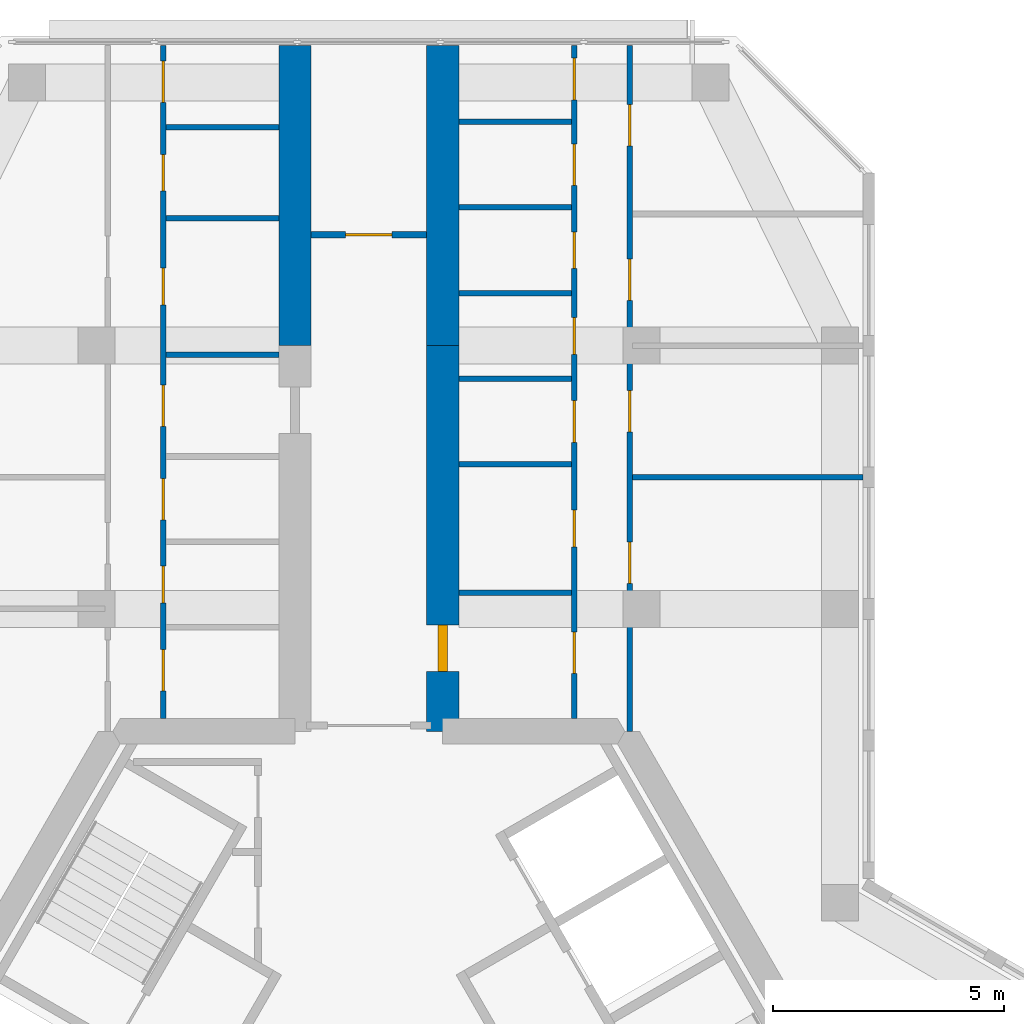
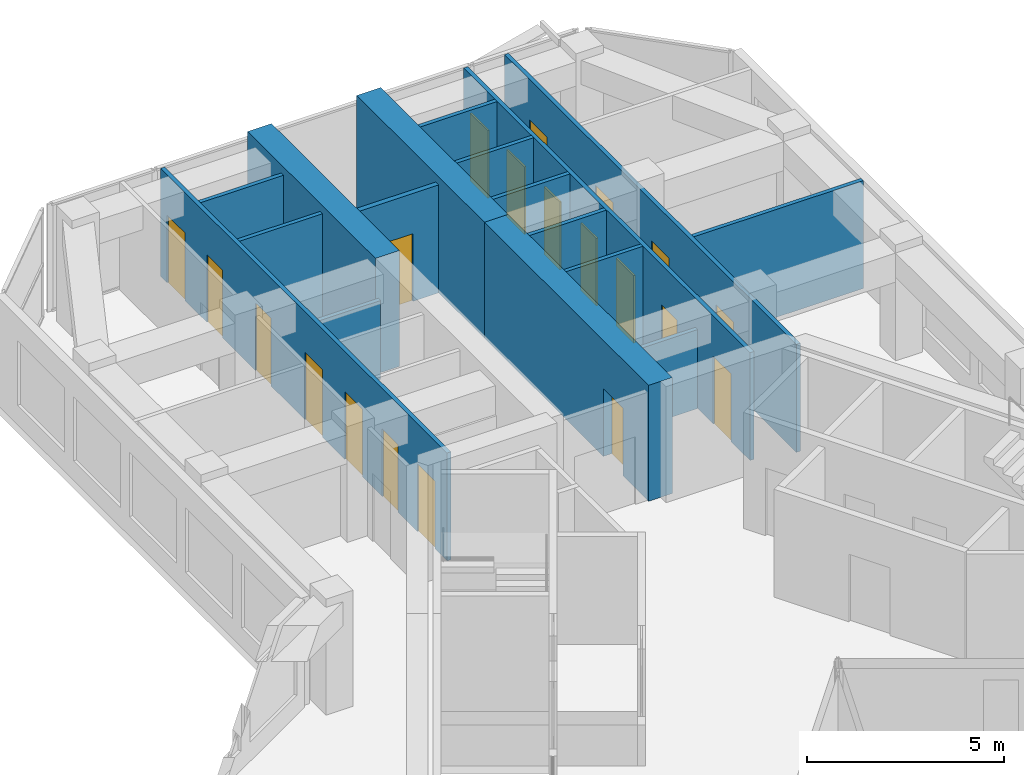
# One storey, part 12 of 14: 20 doors, 17 walls, 20 openings.
"""IFC4 building model written with IfcOpenShell, lengths in metres."""

from ifc_helpers import new_model, si_unit, direction, frame, frame_2d, origin, place, context, subcontext, project, spatial, rectangle, extrude, material, layer, layer_set, type_object, element, fill, save


model = new_model("IFC4")

# Units and contexts
model_context = context("Model", 3, precision=1e-05, world=origin(), true_north=direction((0.0, 1.0)))
body_context = subcontext(model_context, "Body", "Model", "MODEL_VIEW")
ifc_project = project(units=[si_unit("LENGTHUNIT", "METRE"), si_unit("AREAUNIT", "SQUARE_METRE"), si_unit("VOLUMEUNIT", "CUBIC_METRE"), si_unit("PLANEANGLEUNIT", "RADIAN"), si_unit("MASSUNIT", "GRAM", prefix="KILO")], contexts=[model_context])

# Site, building, storey
site_placement = place(None, origin())
site = spatial("IfcSite", under=ifc_project, at=site_placement, CompositionType="ELEMENT")
building_placement = place(site_placement, origin())
building = spatial("IfcBuilding", under=site, at=building_placement, Name="Kosmar Iwan School Tower", CompositionType="ELEMENT")
storey_placement = place(building_placement, frame((0.0, 0.0, 274.60009765625)))
storey = spatial("IfcBuildingStorey", under=building, at=storey_placement, Name="L69", CompositionType="ELEMENT", Elevation=274.60009765625)

# Wall
ifc_material_1 = material(Name="Concrete C50/60", Category="concrete")
ifc_layer_1 = layer(ifc_material_1, 0.699951171875)
ifc_layer_set_1 = layer_set([ifc_layer_1], Name="Corridor buttress wall 700")
wall_type_1 = type_object("IfcWallType", Name="Corridor buttress wall 700", PredefinedType="SHEAR", material=ifc_layer_set_1)
wall_1_placement = place(storey_placement, frame((-1.60009765625, 17.949951171875, 0.0), z_axis=(0.0, 0.0, 1.0), x_axis=(0.0, 1.0, 0.0)))
element("IfcWall", 1, at=wall_1_placement, inside=storey, type_object=wall_type_1, Name="Corridor wall AL bay 2", PredefinedType="SHEAR", context=body_context, shape_type="SweptSolid", body=[
    extrude(rectangle(XDim=6.4951171875, YDim=0.699951171875, at=frame_2d((3.24755859375, 0.0))), origin(), (0.0, 0.0, 1.0), 3.599853515625),
])

# Wall, opening, door
wall_2_placement = place(storey_placement, frame((1.60009765625, 9.60009765625, 0.0), z_axis=(0.0, 0.0, 1.0), x_axis=(0.0, 1.0, 0.0)))
wall_2 = element("IfcWall", 2, at=wall_2_placement, inside=storey, type_object=wall_type_1, Name="Corridor wall AR", PredefinedType="SHEAR", context=body_context, shape_type="SweptSolid", body=[
    extrude(rectangle(XDim=8.349853515625, YDim=0.699951171875, at=frame_2d((4.1748046875, 0.0))), origin(), (0.0, 0.0, 1.0), 3.599853515625),
])
opening_1_placement = place(wall_2_placement, frame((1.300048828125, 0.0, 0.0)))
opening_1 = element("IfcOpeningElement", 3, at=opening_1_placement, cuts=wall_2, Name="Opening D1", PredefinedType="OPENING", context=body_context, shape_type="SweptSolid", body=[
    extrude(rectangle(XDim=1.0, YDim=2.10009765625, at=frame_2d((0.5, 1.050048828125))), frame((0.0, 0.362060546875, 0.0), z_axis=(0.0, -1.0, 0.0), x_axis=(1.0, 0.0, 0.0)), (0.0, 0.0, 1.0), 0.723876953125),
])
ifc_material_2 = material(Name="Timber fire door in steel frame", Category="steel")
door_type_1 = type_object("IfcDoorType", Name="Flat entrance door 1000x2100", OperationType="SINGLE_SWING_LEFT", PredefinedType="DOOR", material=ifc_material_2)
door_1_placement = place(opening_1_placement, origin())
door_1 = element("IfcDoor", 4, at=door_1_placement, inside=storey, type_object=door_type_1, Name="Flat L69-AR1 entrance door", OperationType="SINGLE_SWING_LEFT", OverallHeight=2.10009765625, OverallWidth=1.0, PredefinedType="DOOR", context=body_context, shape_type="SweptSolid", body=[
    extrude(rectangle(XDim=1.0, YDim=2.10009765625, at=frame_2d((0.5, 1.050048828125))), frame((0.0, 0.10009765625, 0.0), z_axis=(0.0, -1.0, 0.0), x_axis=(1.0, 0.0, 0.0)), (0.0, 0.0, 1.0), 0.199951171875),
])
fill(opening_1, door_1)

# Wall
wall_3_placement = place(storey_placement, frame((1.60009765625, 17.949951171875, 0.0), z_axis=(0.0, 0.0, 1.0), x_axis=(0.0, 1.0, 0.0)))
element("IfcWall", 5, at=wall_3_placement, inside=storey, type_object=wall_type_1, Name="Corridor wall AR bay 2", PredefinedType="SHEAR", context=body_context, shape_type="SweptSolid", body=[
    extrude(rectangle(XDim=6.4951171875, YDim=0.699951171875, at=frame_2d((3.24755859375, 0.0))), origin(), (0.0, 0.0, 1.0), 3.599853515625),
])

# Wall, opening, door
ifc_material_3 = material(Name="Gypsum board on steel studs, fire-rated", Category="steel")
ifc_layer_2 = layer(ifc_material_3, 0.14990234375)
ifc_layer_set_2 = layer_set([ifc_layer_2], Name="Corridor end wall 150")
wall_type_2 = type_object("IfcWallType", Name="Corridor end wall 150", PredefinedType="PARTITIONING", material=ifc_layer_set_2)
wall_4_placement = place(storey_placement, frame((1.25, 20.35009765625, 0.0), z_axis=(0.0, 0.0, 1.0), x_axis=(-1.0, 0.0, 0.0)))
wall_4 = element("IfcWall", 6, at=wall_4_placement, inside=storey, type_object=wall_type_2, Name="Partition L69-A-CE", PredefinedType="PARTITIONING", context=body_context, shape_type="SweptSolid", body=[
    extrude(rectangle(XDim=2.5, YDim=0.14990234375, at=frame_2d((1.25, 0.0))), origin(), (0.0, 0.0, 1.0), 3.349853515625),
])
opening_2_placement = place(wall_4_placement, frame((0.75, 0.0, 0.0)))
opening_2 = element("IfcOpeningElement", 7, at=opening_2_placement, cuts=wall_4, Name="Opening D13", PredefinedType="OPENING", context=body_context, shape_type="SweptSolid", body=[
    extrude(rectangle(XDim=1.0, YDim=2.10009765625, at=frame_2d((0.5, 1.050048828125))), frame((0.0, 0.0869140625, 0.0), z_axis=(0.0, -1.0, 0.0), x_axis=(1.0, 0.0, 0.0)), (0.0, 0.0, 1.0), 0.173828125),
])
ifc_material_4 = material(Name="Timber fire door with vision panel", Category="wood")
door_type_2 = type_object("IfcDoorType", Name="Corridor end door 1000x2100", OperationType="SINGLE_SWING_LEFT", PredefinedType="DOOR", material=ifc_material_4)
door_2_placement = place(opening_2_placement, origin())
door_2 = element("IfcDoor", 8, at=door_2_placement, inside=storey, type_object=door_type_2, Name="Laundry and drying room door L69-A", OperationType="SINGLE_SWING_LEFT", OverallHeight=2.10009765625, OverallWidth=1.0, PredefinedType="DOOR", context=body_context, shape_type="SweptSolid", body=[
    extrude(rectangle(XDim=1.0, YDim=2.10009765625, at=frame_2d((0.5, 1.050048828125))), frame((0.0, 0.02490234375, 0.0), z_axis=(0.0, -1.0, 0.0), x_axis=(1.0, 0.0, 0.0)), (0.0, 0.0, 1.0), 0.050048828125),
])
fill(opening_2, door_2)

# Wall, openings, doors
ifc_material_5 = material(Name="Gypsum board on steel studs", Category="steel")
ifc_layer_3 = layer(ifc_material_5, 0.1201171875)
ifc_layer_set_3 = layer_set([ifc_layer_3], Name="Dwelling partition 120")
wall_type_3 = type_object("IfcWallType", Name="Dwelling partition 120", PredefinedType="PARTITIONING", material=ifc_layer_set_3)
wall_5_placement = place(storey_placement, frame((-4.449951171875, 9.875, 0.0), z_axis=(0.0, 0.0, 1.0), x_axis=(0.0, 1.0, 0.0)))
wall_5 = element("IfcWall", 9, at=wall_5_placement, inside=storey, type_object=wall_type_3, Name="Partition L69-AL1-W1", PredefinedType="PARTITIONING", context=body_context, shape_type="SweptSolid", body=[
    extrude(rectangle(XDim=14.570068359375, YDim=0.1201171875, at=frame_2d((7.28515625, 0.0))), origin(), (0.0, 0.0, 1.0), 3.349853515625),
])
opening_3_placement = place(wall_5_placement, frame((0.60009765625, 0.0, 0.0)))
opening_3 = element("IfcOpeningElement", 10, at=opening_3_placement, cuts=wall_5, Name="Opening D2", PredefinedType="OPENING", context=body_context, shape_type="SweptSolid", body=[
    extrude(rectangle(XDim=0.89990234375, YDim=2.10009765625, at=frame_2d((0.449951171875, 1.050048828125))), frame((0.0, 0.072021484375, 0.0), z_axis=(0.0, -1.0, 0.0), x_axis=(1.0, 0.0, 0.0)), (0.0, 0.0, 1.0), 0.14404296875),
])
opening_4_placement = place(wall_5_placement, frame((2.5, 0.0, 0.0)))
opening_4 = element("IfcOpeningElement", 11, at=opening_4_placement, cuts=wall_5, Name="Opening D3", PredefinedType="OPENING", context=body_context, shape_type="SweptSolid", body=[
    extrude(rectangle(XDim=0.800048828125, YDim=2.10009765625, at=frame_2d((0.39990234375, 1.050048828125))), frame((0.0, 0.072021484375, 0.0), z_axis=(0.0, -1.0, 0.0), x_axis=(1.0, 0.0, 0.0)), (0.0, 0.0, 1.0), 0.14404296875),
])
opening_5_placement = place(wall_5_placement, frame((4.300048828125, 0.0, 0.0)))
opening_5 = element("IfcOpeningElement", 12, at=opening_5_placement, cuts=wall_5, Name="Opening D2", PredefinedType="OPENING", context=body_context, shape_type="SweptSolid", body=[
    extrude(rectangle(XDim=0.89990234375, YDim=2.10009765625, at=frame_2d((0.449951171875, 1.050048828125))), frame((0.0, 0.072021484375, 0.0), z_axis=(0.0, -1.0, 0.0), x_axis=(1.0, 0.0, 0.0)), (0.0, 0.0, 1.0), 0.14404296875),
])
opening_6_placement = place(wall_5_placement, frame((6.324951171875, 0.0, 0.0)))
opening_6 = element("IfcOpeningElement", 13, at=opening_6_placement, cuts=wall_5, Name="Opening D2", PredefinedType="OPENING", context=body_context, shape_type="SweptSolid", body=[
    extrude(rectangle(XDim=0.89990234375, YDim=2.10009765625, at=frame_2d((0.449951171875, 1.050048828125))), frame((0.0, 0.072021484375, 0.0), z_axis=(0.0, -1.0, 0.0), x_axis=(1.0, 0.0, 0.0)), (0.0, 0.0, 1.0), 0.14404296875),
])
opening_7_placement = place(wall_5_placement, frame((8.95361328125, 0.0, 0.0)))
opening_7 = element("IfcOpeningElement", 14, at=opening_7_placement, cuts=wall_5, Name="Opening D3", PredefinedType="OPENING", context=body_context, shape_type="SweptSolid", body=[
    extrude(rectangle(XDim=0.800048828125, YDim=2.10009765625, at=frame_2d((0.39990234375, 1.050048828125))), frame((0.0, 0.072021484375, 0.0), z_axis=(0.0, -1.0, 0.0), x_axis=(1.0, 0.0, 0.0)), (0.0, 0.0, 1.0), 0.14404296875),
])
opening_8_placement = place(wall_5_placement, frame((11.41796875, 0.0, 0.0)))
opening_8 = element("IfcOpeningElement", 15, at=opening_8_placement, cuts=wall_5, Name="Opening D3", PredefinedType="OPENING", context=body_context, shape_type="SweptSolid", body=[
    extrude(rectangle(XDim=0.800048828125, YDim=2.10009765625, at=frame_2d((0.39990234375, 1.050048828125))), frame((0.0, 0.072021484375, 0.0), z_axis=(0.0, -1.0, 0.0), x_axis=(1.0, 0.0, 0.0)), (0.0, 0.0, 1.0), 0.14404296875),
])
opening_9_placement = place(wall_5_placement, frame((13.33935546875, 0.0, 0.0)))
opening_9 = element("IfcOpeningElement", 16, at=opening_9_placement, cuts=wall_5, Name="Opening D2", PredefinedType="OPENING", context=body_context, shape_type="SweptSolid", body=[
    extrude(rectangle(XDim=0.89990234375, YDim=2.10009765625, at=frame_2d((0.449951171875, 1.050048828125))), frame((0.0, 0.072021484375, 0.0), z_axis=(0.0, -1.0, 0.0), x_axis=(1.0, 0.0, 0.0)), (0.0, 0.0, 1.0), 0.14404296875),
])
ifc_material_6 = material(Name="Timber door in timber frame", Category="wood")
door_type_3 = type_object("IfcDoorType", Name="Internal door 900x2100", OperationType="SINGLE_SWING_LEFT", PredefinedType="DOOR", material=ifc_material_6)
door_3_placement = place(opening_3_placement, origin())
door_3 = element("IfcDoor", 17, at=door_3_placement, inside=storey, type_object=door_type_3, Name="Dressing room door L69-AL1-S1", OperationType="SINGLE_SWING_LEFT", OverallHeight=2.10009765625, OverallWidth=0.89990234375, PredefinedType="DOOR", context=body_context, shape_type="SweptSolid", body=[
    extrude(rectangle(XDim=0.89990234375, YDim=2.10009765625, at=frame_2d((0.449951171875, 1.050048828125))), frame((0.0, 0.02490234375, 0.0), z_axis=(0.0, -1.0, 0.0), x_axis=(1.0, 0.0, 0.0)), (0.0, 0.0, 1.0), 0.050048828125),
])
fill(opening_3, door_3)
door_4_placement = place(opening_5_placement, origin())
door_4 = element("IfcDoor", 18, at=door_4_placement, inside=storey, type_object=door_type_3, Name="Pantry door L69-AL1-S3", OperationType="SINGLE_SWING_LEFT", OverallHeight=2.10009765625, OverallWidth=0.89990234375, PredefinedType="DOOR", context=body_context, shape_type="SweptSolid", body=[
    extrude(rectangle(XDim=0.89990234375, YDim=2.10009765625, at=frame_2d((0.449951171875, 1.050048828125))), frame((0.0, 0.02490234375, 0.0), z_axis=(0.0, -1.0, 0.0), x_axis=(1.0, 0.0, 0.0)), (0.0, 0.0, 1.0), 0.050048828125),
])
fill(opening_5, door_4)
door_5_placement = place(opening_6_placement, origin())
door_5 = element("IfcDoor", 19, at=door_5_placement, inside=storey, type_object=door_type_3, Name="Entrance hall door L69-AL1-S4", OperationType="SINGLE_SWING_LEFT", OverallHeight=2.10009765625, OverallWidth=0.89990234375, PredefinedType="DOOR", context=body_context, shape_type="SweptSolid", body=[
    extrude(rectangle(XDim=0.89990234375, YDim=2.10009765625, at=frame_2d((0.449951171875, 1.050048828125))), frame((0.0, 0.02490234375, 0.0), z_axis=(0.0, -1.0, 0.0), x_axis=(1.0, 0.0, 0.0)), (0.0, 0.0, 1.0), 0.050048828125),
])
fill(opening_6, door_5)
door_6_placement = place(opening_9_placement, origin())
door_6 = element("IfcDoor", 20, at=door_6_placement, inside=storey, type_object=door_type_3, Name="Utility room door L69-AL1-S7", OperationType="SINGLE_SWING_RIGHT", OverallHeight=2.10009765625, OverallWidth=0.89990234375, PredefinedType="DOOR", context=body_context, shape_type="SweptSolid", body=[
    extrude(rectangle(XDim=0.89990234375, YDim=2.10009765625, at=frame_2d((0.449951171875, 1.050048828125))), frame((0.0, 0.02490234375, 0.0), z_axis=(0.0, -1.0, 0.0), x_axis=(1.0, 0.0, 0.0)), (0.0, 0.0, 1.0), 0.050048828125),
])
fill(opening_9, door_6)
ifc_material_7 = material(Name="Timber door in timber frame", Category="wood")
door_type_4 = type_object("IfcDoorType", Name="Sanitary room door 800x2100", OperationType="SINGLE_SWING_LEFT", PredefinedType="DOOR", material=ifc_material_7)
door_7_placement = place(opening_4_placement, origin())
door_7 = element("IfcDoor", 21, at=door_7_placement, inside=storey, type_object=door_type_4, Name="Store door L69-AL1-S2", OperationType="SINGLE_SWING_LEFT", OverallHeight=2.10009765625, OverallWidth=0.800048828125, PredefinedType="DOOR", context=body_context, shape_type="SweptSolid", body=[
    extrude(rectangle(XDim=0.800048828125, YDim=2.10009765625, at=frame_2d((0.39990234375, 1.050048828125))), frame((0.0, 0.02490234375, 0.0), z_axis=(0.0, -1.0, 0.0), x_axis=(1.0, 0.0, 0.0)), (0.0, 0.0, 1.0), 0.050048828125),
])
fill(opening_4, door_7)
door_8_placement = place(opening_7_placement, origin())
door_8 = element("IfcDoor", 22, at=door_8_placement, inside=storey, type_object=door_type_4, Name="Bathroom door L69-AL1-S5", OperationType="SINGLE_SWING_RIGHT", OverallHeight=2.10009765625, OverallWidth=0.800048828125, PredefinedType="DOOR", context=body_context, shape_type="SweptSolid", body=[
    extrude(rectangle(XDim=0.800048828125, YDim=2.10009765625, at=frame_2d((0.39990234375, 1.050048828125))), frame((0.0, 0.02490234375, 0.0), z_axis=(0.0, -1.0, 0.0), x_axis=(1.0, 0.0, 0.0)), (0.0, 0.0, 1.0), 0.050048828125),
])
fill(opening_7, door_8)
door_9_placement = place(opening_8_placement, origin())
door_9 = element("IfcDoor", 23, at=door_9_placement, inside=storey, type_object=door_type_4, Name="WC door L69-AL1-S6", OperationType="SINGLE_SWING_RIGHT", OverallHeight=2.10009765625, OverallWidth=0.800048828125, PredefinedType="DOOR", context=body_context, shape_type="SweptSolid", body=[
    extrude(rectangle(XDim=0.800048828125, YDim=2.10009765625, at=frame_2d((0.39990234375, 1.050048828125))), frame((0.0, 0.02490234375, 0.0), z_axis=(0.0, -1.0, 0.0), x_axis=(1.0, 0.0, 0.0)), (0.0, 0.0, 1.0), 0.050048828125),
])
fill(opening_8, door_9)

# Walls
wall_6_placement = place(storey_placement, frame((-1.949951171875, 17.75, 0.0), z_axis=(0.0, 0.0, 1.0), x_axis=(-1.0, 0.0, 0.0)))
element("IfcWall", 24, at=wall_6_placement, inside=storey, type_object=wall_type_3, Name="Partition L69-AL1-Y4", PredefinedType="PARTITIONING", context=body_context, shape_type="SweptSolid", body=[
    extrude(rectangle(XDim=2.43994140625, YDim=0.1201171875, at=frame_2d((1.219970703125, 0.0))), origin(), (0.0, 0.0, 1.0), 2.449951171875),
])
for number, where, z_axis, x_axis, name in (
    (25, (-1.949951171875, 20.70703125, 0.0), (0.0, 0.0, 1.0), (-1.0, 0.0, 0.0), "Partition L69-AL1-Y5"),
    (26, (-1.949951171875, 22.678466796875, 0.0), (0.0, 0.0, 1.0), (-1.0, 0.0, 0.0), "Partition L69-AL1-Y6"),
):
    element("IfcWall", number, at=place(storey_placement, frame(where, z_axis=z_axis, x_axis=x_axis)), inside=storey, type_object=wall_type_3, Name=name, PredefinedType="PARTITIONING", context=body_context, shape_type="SweptSolid", body=[
        extrude(rectangle(XDim=2.43994140625, YDim=0.1201171875, at=frame_2d((1.219970703125, 0.0))), origin(), (0.0, 0.0, 1.0), 3.349853515625),
    ])

# Wall, openings, doors
wall_7_placement = place(storey_placement, frame((4.449951171875, 9.875, 0.0), z_axis=(0.0, 0.0, 1.0), x_axis=(0.0, 1.0, 0.0)))
wall_7 = element("IfcWall", 27, at=wall_7_placement, inside=storey, type_object=wall_type_3, Name="Partition L69-AR1-W1", PredefinedType="PARTITIONING", context=body_context, shape_type="SweptSolid", body=[
    extrude(rectangle(XDim=14.570068359375, YDim=0.1201171875, at=frame_2d((7.28515625, 0.0))), origin(), (0.0, 0.0, 1.0), 3.349853515625),
])
opening_10_placement = place(wall_7_placement, frame((0.97509765625, 0.0, 0.0)))
opening_10 = element("IfcOpeningElement", 28, at=opening_10_placement, cuts=wall_7, Name="Opening D2", PredefinedType="OPENING", context=body_context, shape_type="SweptSolid", body=[
    extrude(rectangle(XDim=0.89990234375, YDim=2.10009765625, at=frame_2d((0.449951171875, 1.050048828125))), frame((0.0, 0.072021484375, 0.0), z_axis=(0.0, -1.0, 0.0), x_axis=(1.0, 0.0, 0.0)), (0.0, 0.0, 1.0), 0.14404296875),
])
opening_11_placement = place(wall_7_placement, frame((3.71533203125, 0.0, 0.0)))
opening_11 = element("IfcOpeningElement", 29, at=opening_11_placement, cuts=wall_7, Name="Opening D3", PredefinedType="OPENING", context=body_context, shape_type="SweptSolid", body=[
    extrude(rectangle(XDim=0.800048828125, YDim=2.10009765625, at=frame_2d((0.39990234375, 1.050048828125))), frame((0.0, 0.072021484375, 0.0), z_axis=(0.0, -1.0, 0.0), x_axis=(1.0, 0.0, 0.0)), (0.0, 0.0, 1.0), 0.14404296875),
])
opening_12_placement = place(wall_7_placement, frame((5.982666015625, 0.0, 0.0)))
opening_12 = element("IfcOpeningElement", 30, at=opening_12_placement, cuts=wall_7, Name="Opening D2", PredefinedType="OPENING", context=body_context, shape_type="SweptSolid", body=[
    extrude(rectangle(XDim=0.89990234375, YDim=2.10009765625, at=frame_2d((0.449951171875, 1.050048828125))), frame((0.0, 0.072021484375, 0.0), z_axis=(0.0, -1.0, 0.0), x_axis=(1.0, 0.0, 0.0)), (0.0, 0.0, 1.0), 0.14404296875),
])
opening_13_placement = place(wall_7_placement, frame((7.886474609375, 0.0, 0.0)))
opening_13 = element("IfcOpeningElement", 31, at=opening_13_placement, cuts=wall_7, Name="Opening D3", PredefinedType="OPENING", context=body_context, shape_type="SweptSolid", body=[
    extrude(rectangle(XDim=0.800048828125, YDim=2.10009765625, at=frame_2d((0.39990234375, 1.050048828125))), frame((0.0, 0.072021484375, 0.0), z_axis=(0.0, -1.0, 0.0), x_axis=(1.0, 0.0, 0.0)), (0.0, 0.0, 1.0), 0.14404296875),
])
opening_14_placement = place(wall_7_placement, frame((9.740478515625, 0.0, 0.0)))
opening_14 = element("IfcOpeningElement", 32, at=opening_14_placement, cuts=wall_7, Name="Opening D3", PredefinedType="OPENING", context=body_context, shape_type="SweptSolid", body=[
    extrude(rectangle(XDim=0.800048828125, YDim=2.10009765625, at=frame_2d((0.39990234375, 1.050048828125))), frame((0.0, 0.072021484375, 0.0), z_axis=(0.0, -1.0, 0.0), x_axis=(1.0, 0.0, 0.0)), (0.0, 0.0, 1.0), 0.14404296875),
])
opening_15_placement = place(wall_7_placement, frame((11.544189453125, 0.0, 0.0)))
opening_15 = element("IfcOpeningElement", 33, at=opening_15_placement, cuts=wall_7, Name="Opening D2", PredefinedType="OPENING", context=body_context, shape_type="SweptSolid", body=[
    extrude(rectangle(XDim=0.89990234375, YDim=2.10009765625, at=frame_2d((0.449951171875, 1.050048828125))), frame((0.0, 0.072021484375, 0.0), z_axis=(0.0, -1.0, 0.0), x_axis=(1.0, 0.0, 0.0)), (0.0, 0.0, 1.0), 0.14404296875),
])
opening_16_placement = place(wall_7_placement, frame((13.398193359375, 0.0, 0.0)))
opening_16 = element("IfcOpeningElement", 34, at=opening_16_placement, cuts=wall_7, Name="Opening D2", PredefinedType="OPENING", context=body_context, shape_type="SweptSolid", body=[
    extrude(rectangle(XDim=0.89990234375, YDim=2.10009765625, at=frame_2d((0.449951171875, 1.050048828125))), frame((0.0, 0.072021484375, 0.0), z_axis=(0.0, -1.0, 0.0), x_axis=(1.0, 0.0, 0.0)), (0.0, 0.0, 1.0), 0.14404296875),
])
door_10_placement = place(opening_10_placement, origin())
door_10 = element("IfcDoor", 35, at=door_10_placement, inside=storey, type_object=door_type_3, Name="Entrance hall door L69-AR1-S1", OperationType="SINGLE_SWING_RIGHT", OverallHeight=2.10009765625, OverallWidth=0.89990234375, PredefinedType="DOOR", context=body_context, shape_type="SweptSolid", body=[
    extrude(rectangle(XDim=0.89990234375, YDim=2.10009765625, at=frame_2d((0.449951171875, 1.050048828125))), frame((0.0, 0.02490234375, 0.0), z_axis=(0.0, -1.0, 0.0), x_axis=(1.0, 0.0, 0.0)), (0.0, 0.0, 1.0), 0.050048828125),
])
fill(opening_10, door_10)
door_11_placement = place(opening_12_placement, origin())
door_11 = element("IfcDoor", 36, at=door_11_placement, inside=storey, type_object=door_type_3, Name="Pantry door L69-AR1-S3", OperationType="SINGLE_SWING_RIGHT", OverallHeight=2.10009765625, OverallWidth=0.89990234375, PredefinedType="DOOR", context=body_context, shape_type="SweptSolid", body=[
    extrude(rectangle(XDim=0.89990234375, YDim=2.10009765625, at=frame_2d((0.449951171875, 1.050048828125))), frame((0.0, 0.02490234375, 0.0), z_axis=(0.0, -1.0, 0.0), x_axis=(1.0, 0.0, 0.0)), (0.0, 0.0, 1.0), 0.050048828125),
])
fill(opening_12, door_11)
door_12_placement = place(opening_15_placement, origin())
door_12 = element("IfcDoor", 37, at=door_12_placement, inside=storey, type_object=door_type_3, Name="Utility room door L69-AR1-S6", OperationType="SINGLE_SWING_LEFT", OverallHeight=2.10009765625, OverallWidth=0.89990234375, PredefinedType="DOOR", context=body_context, shape_type="SweptSolid", body=[
    extrude(rectangle(XDim=0.89990234375, YDim=2.10009765625, at=frame_2d((0.449951171875, 1.050048828125))), frame((0.0, 0.02490234375, 0.0), z_axis=(0.0, -1.0, 0.0), x_axis=(1.0, 0.0, 0.0)), (0.0, 0.0, 1.0), 0.050048828125),
])
fill(opening_15, door_12)
door_13_placement = place(opening_16_placement, origin())
door_13 = element("IfcDoor", 38, at=door_13_placement, inside=storey, type_object=door_type_3, Name="Dressing room door L69-AR1-S7", OperationType="SINGLE_SWING_RIGHT", OverallHeight=2.10009765625, OverallWidth=0.89990234375, PredefinedType="DOOR", context=body_context, shape_type="SweptSolid", body=[
    extrude(rectangle(XDim=0.89990234375, YDim=2.10009765625, at=frame_2d((0.449951171875, 1.050048828125))), frame((0.0, 0.02490234375, 0.0), z_axis=(0.0, -1.0, 0.0), x_axis=(1.0, 0.0, 0.0)), (0.0, 0.0, 1.0), 0.050048828125),
])
fill(opening_16, door_13)
door_14_placement = place(opening_11_placement, origin())
door_14 = element("IfcDoor", 39, at=door_14_placement, inside=storey, type_object=door_type_4, Name="Bathroom door L69-AR1-S2", OperationType="SINGLE_SWING_LEFT", OverallHeight=2.10009765625, OverallWidth=0.800048828125, PredefinedType="DOOR", context=body_context, shape_type="SweptSolid", body=[
    extrude(rectangle(XDim=0.800048828125, YDim=2.10009765625, at=frame_2d((0.39990234375, 1.050048828125))), frame((0.0, 0.02490234375, 0.0), z_axis=(0.0, -1.0, 0.0), x_axis=(1.0, 0.0, 0.0)), (0.0, 0.0, 1.0), 0.050048828125),
])
fill(opening_11, door_14)
door_15_placement = place(opening_13_placement, origin())
door_15 = element("IfcDoor", 40, at=door_15_placement, inside=storey, type_object=door_type_4, Name="WC door L69-AR1-S4", OperationType="SINGLE_SWING_LEFT", OverallHeight=2.10009765625, OverallWidth=0.800048828125, PredefinedType="DOOR", context=body_context, shape_type="SweptSolid", body=[
    extrude(rectangle(XDim=0.800048828125, YDim=2.10009765625, at=frame_2d((0.39990234375, 1.050048828125))), frame((0.0, 0.02490234375, 0.0), z_axis=(0.0, -1.0, 0.0), x_axis=(1.0, 0.0, 0.0)), (0.0, 0.0, 1.0), 0.050048828125),
])
fill(opening_13, door_15)
door_16_placement = place(opening_14_placement, origin())
door_16 = element("IfcDoor", 41, at=door_16_placement, inside=storey, type_object=door_type_4, Name="Store door L69-AR1-S5", OperationType="SINGLE_SWING_RIGHT", OverallHeight=2.10009765625, OverallWidth=0.800048828125, PredefinedType="DOOR", context=body_context, shape_type="SweptSolid", body=[
    extrude(rectangle(XDim=0.800048828125, YDim=2.10009765625, at=frame_2d((0.39990234375, 1.050048828125))), frame((0.0, 0.02490234375, 0.0), z_axis=(0.0, -1.0, 0.0), x_axis=(1.0, 0.0, 0.0)), (0.0, 0.0, 1.0), 0.050048828125),
])
fill(opening_14, door_16)

wall_8_placement = place(storey_placement, frame((5.64990234375, 9.60009765625, 0.0), z_axis=(0.0, 0.0, 1.0), x_axis=(0.0, 1.0, 0.0)))
wall_8 = element("IfcWall", 42, at=wall_8_placement, inside=storey, type_object=wall_type_3, Name="Partition L69-AR1-W2", PredefinedType="PARTITIONING", context=body_context, shape_type="SweptSolid", body=[
    extrude(rectangle(XDim=14.844970703125, YDim=0.1201171875, at=frame_2d((7.42236328125, 0.0))), origin(), (0.0, 0.0, 1.0), 3.349853515625),
])
opening_17_placement = place(wall_8_placement, frame((3.199951171875, 0.0, 0.0)))
opening_17 = element("IfcOpeningElement", 43, at=opening_17_placement, cuts=wall_8, Name="Opening D2", PredefinedType="OPENING", context=body_context, shape_type="SweptSolid", body=[
    extrude(rectangle(XDim=0.89990234375, YDim=2.10009765625, at=frame_2d((0.449951171875, 1.050048828125))), frame((0.0, 0.072021484375, 0.0), z_axis=(0.0, -1.0, 0.0), x_axis=(1.0, 0.0, 0.0)), (0.0, 0.0, 1.0), 0.14404296875),
])
opening_18_placement = place(wall_8_placement, frame((6.47509765625, 0.0, 0.0)))
opening_18 = element("IfcOpeningElement", 44, at=opening_18_placement, cuts=wall_8, Name="Opening D2", PredefinedType="OPENING", context=body_context, shape_type="SweptSolid", body=[
    extrude(rectangle(XDim=0.89990234375, YDim=2.10009765625, at=frame_2d((0.449951171875, 1.050048828125))), frame((0.0, 0.072021484375, 0.0), z_axis=(0.0, -1.0, 0.0), x_axis=(1.0, 0.0, 0.0)), (0.0, 0.0, 1.0), 0.14404296875),
])
opening_19_placement = place(wall_8_placement, frame((9.324951171875, 0.0, 0.0)))
opening_19 = element("IfcOpeningElement", 45, at=opening_19_placement, cuts=wall_8, Name="Opening D2", PredefinedType="OPENING", context=body_context, shape_type="SweptSolid", body=[
    extrude(rectangle(XDim=0.89990234375, YDim=2.10009765625, at=frame_2d((0.449951171875, 1.050048828125))), frame((0.0, 0.072021484375, 0.0), z_axis=(0.0, -1.0, 0.0), x_axis=(1.0, 0.0, 0.0)), (0.0, 0.0, 1.0), 0.14404296875),
])
opening_20_placement = place(wall_8_placement, frame((12.675048828125, 0.0, 0.0)))
opening_20 = element("IfcOpeningElement", 46, at=opening_20_placement, cuts=wall_8, Name="Opening D2", PredefinedType="OPENING", context=body_context, shape_type="SweptSolid", body=[
    extrude(rectangle(XDim=0.89990234375, YDim=2.10009765625, at=frame_2d((0.449951171875, 1.050048828125))), frame((0.0, 0.072021484375, 0.0), z_axis=(0.0, -1.0, 0.0), x_axis=(1.0, 0.0, 0.0)), (0.0, 0.0, 1.0), 0.14404296875),
])
door_17_placement = place(opening_17_placement, origin())
door_17 = element("IfcDoor", 47, at=door_17_placement, inside=storey, type_object=door_type_3, Name="Living room door L69-AR1-F1", OperationType="SINGLE_SWING_LEFT", OverallHeight=2.10009765625, OverallWidth=0.89990234375, PredefinedType="DOOR", context=body_context, shape_type="SweptSolid", body=[
    extrude(rectangle(XDim=0.89990234375, YDim=2.10009765625, at=frame_2d((0.449951171875, 1.050048828125))), frame((0.0, 0.02490234375, 0.0), z_axis=(0.0, -1.0, 0.0), x_axis=(1.0, 0.0, 0.0)), (0.0, 0.0, 1.0), 0.050048828125),
])
fill(opening_17, door_17)
door_18_placement = place(opening_18_placement, origin())
door_18 = element("IfcDoor", 48, at=door_18_placement, inside=storey, type_object=door_type_3, Name="Kitchen and dining room door L69-AR1-F2", OperationType="SINGLE_SWING_LEFT", OverallHeight=2.10009765625, OverallWidth=0.89990234375, PredefinedType="DOOR", context=body_context, shape_type="SweptSolid", body=[
    extrude(rectangle(XDim=0.89990234375, YDim=2.10009765625, at=frame_2d((0.449951171875, 1.050048828125))), frame((0.0, 0.02490234375, 0.0), z_axis=(0.0, -1.0, 0.0), x_axis=(1.0, 0.0, 0.0)), (0.0, 0.0, 1.0), 0.050048828125),
])
fill(opening_18, door_18)
door_19_placement = place(opening_19_placement, origin())
door_19 = element("IfcDoor", 49, at=door_19_placement, inside=storey, type_object=door_type_3, Name="Dining room door L69-AR1-F3", OperationType="SINGLE_SWING_RIGHT", OverallHeight=2.10009765625, OverallWidth=0.89990234375, PredefinedType="DOOR", context=body_context, shape_type="SweptSolid", body=[
    extrude(rectangle(XDim=0.89990234375, YDim=2.10009765625, at=frame_2d((0.449951171875, 1.050048828125))), frame((0.0, 0.02490234375, 0.0), z_axis=(0.0, -1.0, 0.0), x_axis=(1.0, 0.0, 0.0)), (0.0, 0.0, 1.0), 0.050048828125),
])
fill(opening_19, door_19)
door_20_placement = place(opening_20_placement, origin())
door_20 = element("IfcDoor", 50, at=door_20_placement, inside=storey, type_object=door_type_3, Name="Bedroom 1 door L69-AR1-F4", OperationType="SINGLE_SWING_RIGHT", OverallHeight=2.10009765625, OverallWidth=0.89990234375, PredefinedType="DOOR", context=body_context, shape_type="SweptSolid", body=[
    extrude(rectangle(XDim=0.89990234375, YDim=2.10009765625, at=frame_2d((0.449951171875, 1.050048828125))), frame((0.0, 0.02490234375, 0.0), z_axis=(0.0, -1.0, 0.0), x_axis=(1.0, 0.0, 0.0)), (0.0, 0.0, 1.0), 0.050048828125),
])
fill(opening_20, door_20)

# Walls
wall_9_placement = place(storey_placement, frame((5.7099609375, 15.10009765625, 0.0), z_axis=(0.0, 0.0, 1.0), x_axis=(1.0, 0.0, 0.0)))
element("IfcWall", 51, at=wall_9_placement, inside=storey, type_object=wall_type_3, Name="Partition L69-AR1-X1", PredefinedType="PARTITIONING", context=body_context, shape_type="SweptSolid", body=[
    extrude(rectangle(XDim=4.989990234375, YDim=0.1201171875, at=frame_2d((2.4951171875, 0.0))), origin(), (0.0, 0.0, 1.0), 3.349853515625),
])
wall_10_placement = place(storey_placement, frame((1.949951171875, 12.60009765625, 0.0), z_axis=(0.0, 0.0, 1.0), x_axis=(1.0, 0.0, 0.0)))
element("IfcWall", 52, at=wall_10_placement, inside=storey, type_object=wall_type_3, Name="Partition L69-AR1-Y1", PredefinedType="PARTITIONING", context=body_context, shape_type="SweptSolid", body=[
    extrude(rectangle(XDim=2.43994140625, YDim=0.1201171875, at=frame_2d((1.219970703125, 0.0))), origin(), (0.0, 0.0, 1.0), 2.449951171875),
])
for number, where, z_axis, x_axis, name in (
    (53, (1.949951171875, 15.380859375, 0.0), (0.0, 0.0, 1.0), (1.0, 0.0, 0.0), "Partition L69-AR1-Y2"),
    (54, (1.949951171875, 17.234619140625, 0.0), (0.0, 0.0, 1.0), (1.0, 0.0, 0.0), "Partition L69-AR1-Y3"),
    (55, (1.949951171875, 19.08837890625, 0.0), (0.0, 0.0, 1.0), (1.0, 0.0, 0.0), "Partition L69-AR1-Y4"),
    (56, (1.949951171875, 20.9423828125, 0.0), (0.0, 0.0, 1.0), (1.0, 0.0, 0.0), "Partition L69-AR1-Y5"),
    (57, (1.949951171875, 22.796142578125, 0.0), (0.0, 0.0, 1.0), (1.0, 0.0, 0.0), "Partition L69-AR1-Y6"),
):
    element("IfcWall", number, at=place(storey_placement, frame(where, z_axis=z_axis, x_axis=x_axis)), inside=storey, type_object=wall_type_3, Name=name, PredefinedType="PARTITIONING", context=body_context, shape_type="SweptSolid", body=[
        extrude(rectangle(XDim=2.43994140625, YDim=0.1201171875, at=frame_2d((1.219970703125, 0.0))), origin(), (0.0, 0.0, 1.0), 3.349853515625),
    ])

save(model, "model.ifc")
